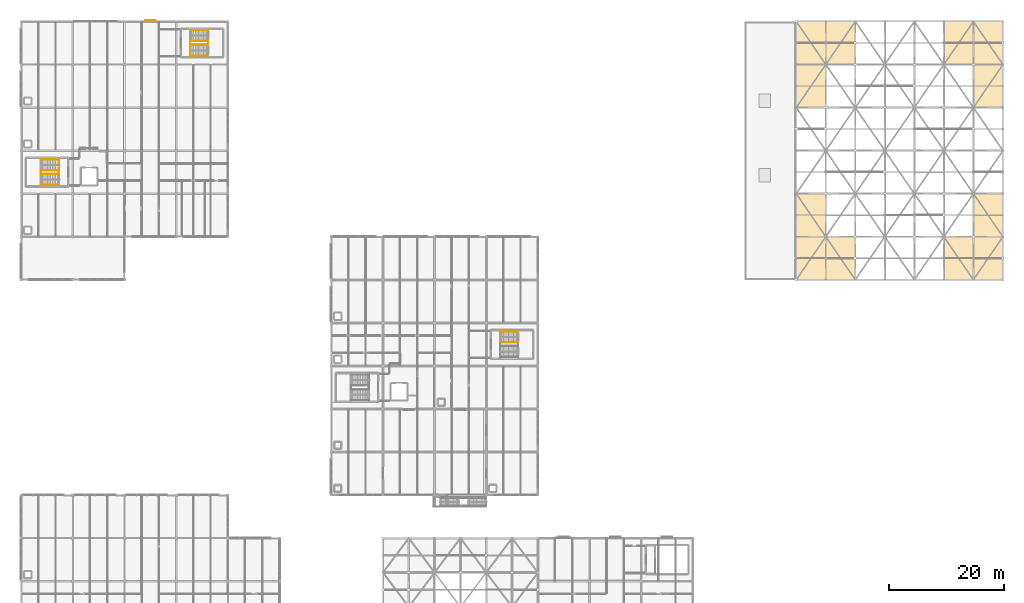
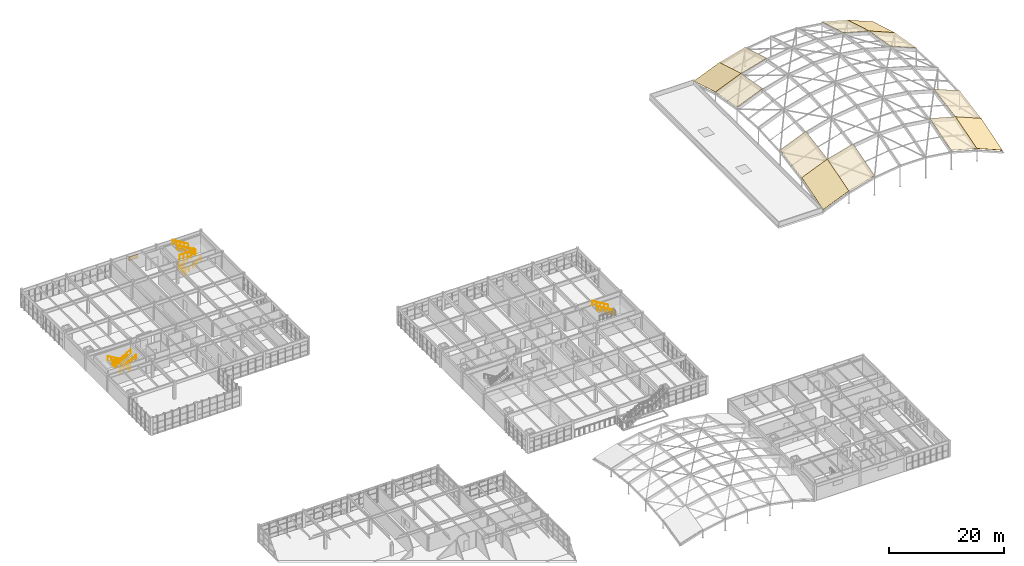
# One storey, part 81 of 81: 14 railings, 12 coverings, 1 shading device.
"""IFC4 building model written with IfcOpenShell, lengths in metres."""

from ifc_helpers import new_model, si_unit, direction, frame, origin, origin_2d, place, context, subcontext, project, spatial, polyline, rectangle, circle, outline, extrude, material, layer, layer_set, type_object, element, save


model = new_model("IFC4")

# Units and contexts
model_context = context("Model", 3, precision=1e-05, world=origin(), true_north=direction((0.0, 1.0)))
body_context = subcontext(model_context, "Body", "Model", "MODEL_VIEW")
ifc_project = project(units=[si_unit("LENGTHUNIT", "METRE"), si_unit("AREAUNIT", "SQUARE_METRE"), si_unit("VOLUMEUNIT", "CUBIC_METRE"), si_unit("PLANEANGLEUNIT", "RADIAN"), si_unit("MASSUNIT", "GRAM", prefix="KILO")], contexts=[model_context])

# Site, building, storey
site_placement = place(None, origin())
site = spatial("IfcSite", under=ifc_project, at=site_placement, CompositionType="ELEMENT")
building_placement = place(site_placement, origin())
building = spatial("IfcBuilding", under=site, at=building_placement, Name="Marnridge Secondary College", CompositionType="ELEMENT")
storey_placement = place(building_placement, frame((0.0, 0.0, 8.5)))
storey = spatial("IfcBuildingStorey", under=building, at=storey_placement, Name="L02", CompositionType="ELEMENT", Elevation=8.5)

# Coverings
ifc_material_1 = material(Name="Pre-weathered standing-seam zinc roofing", Category="steel")
ifc_layer = layer(ifc_material_1, 0.044921875)
ifc_layer_set = layer_set([ifc_layer], Name="CV-ROOF-ZINC")
covering_type = type_object("IfcCoveringType", Name="CV-ROOF-ZINC", PredefinedType="ROOFING", material=ifc_layer_set)
covering_1_placement = place(storey_placement, frame((135.0, 75.0, 0.550048828125), z_axis=(-0.372807720533, -0.263602093061, 0.889678784756), x_axis=(0.922299118379, 0.0, 0.386476824967)))
element("IfcCovering", 1, at=covering_1_placement, inside=storey, type_object=covering_type, Name="Standing-seam zinc roof panel CVR-V2-0101", PredefinedType="ROOFING", context=body_context, shape_type="SweptSolid", body=[
    extrude(outline(polyline([(0.0, 0.0), (5.576089321935026, 0.0), (6.434905743041356, 7.774989700068845), (0.8588164211063297, 7.774989700068845), (0.0, 0.0)])), origin(), (0.0, 0.0, -1.0), 0.044921875),
])
covering_2_placement = place(storey_placement, frame((135.0, 82.5, 2.772216796875), z_axis=(-0.381382985583, -0.161822958021, 0.910143037421), x_axis=(0.922299118379, 0.0, 0.386476824967)))
element("IfcCovering", 2, at=covering_2_placement, inside=storey, type_object=covering_type, Name="Standing-seam zinc roof panel CVR-V2-0102", PredefinedType="ROOFING", context=body_context, shape_type="SweptSolid", body=[
    extrude(outline(polyline([(0.0, 0.0), (5.576089321935027, 0.0), (6.091454658353701, 7.600171735037608), (0.5153653364186742, 7.600171735037608), (0.0, 0.0)])), origin(), (0.0, 0.0, -1.0), 0.044921875),
])
covering_3_placement = place(storey_placement, frame((135.0, 105.0, 4.105712890625), z_axis=(-0.381382985583, 0.161822958021, 0.910143037421), x_axis=(0.922299118379, 0.0, 0.386476824967)))
element("IfcCovering", 3, at=covering_3_placement, inside=storey, type_object=covering_type, Name="Standing-seam zinc roof panel CVR-V2-0105", PredefinedType="ROOFING", context=body_context, shape_type="SweptSolid", body=[
    extrude(outline(polyline([(0.0, 0.0), (5.576089321935027, 0.0), (5.060723985516352, 7.600171735037609), (-0.5153653364186742, 7.600171735037608), (0.0, 0.0)])), origin(), (0.0, 0.0, -1.0), 0.044921875),
])
covering_4_placement = place(storey_placement, frame((135.0, 112.5, 2.772216796875), z_axis=(-0.372807720533, 0.263602093061, 0.889678784756), x_axis=(0.922299118379, 0.0, 0.386476824967)))
element("IfcCovering", 4, at=covering_4_placement, inside=storey, type_object=covering_type, Name="Standing-seam zinc roof panel CVR-V2-0106", PredefinedType="ROOFING", context=body_context, shape_type="SweptSolid", body=[
    extrude(outline(polyline([(0.0, 0.0), (5.576089321935026, 0.0), (4.717272900828696, 7.774989700068845), (-0.8588164211063297, 7.774989700068845), (0.0, 0.0)])), origin(), (0.0, 0.0, -1.0), 0.044921875),
])
covering_5_placement = place(storey_placement, frame((140.142822265625, 75.0, 2.705078125), z_axis=(-0.258741531707, -0.274407995179, 0.926149594802), x_axis=(0.963120557911, 0.0, 0.269070234194)))
element("IfcCovering", 5, at=covering_5_placement, inside=storey, type_object=covering_type, Name="Standing-seam zinc roof panel CVR-V2-0201", PredefinedType="ROOFING", context=body_context, shape_type="SweptSolid", body=[
    extrude(outline(polyline([(0.0, 0.0), (5.339749238434277, 5.551115123125783e-17), (5.937668494205184, 7.799392479220217), (0.5979192557709067, 7.7993924792202165), (0.0, 0.0)])), origin(), (0.0, 0.0, -1.0), 0.044921875),
])
for number, where, z_axis, x_axis, name in (
    (6, (140.142822265625, 112.5, 4.92724609375), (-0.258741531707, 0.274407995179, 0.926149594802), (0.963120557911, 0.0, 0.269070234194), "Standing-seam zinc roof panel CVR-V2-0206"),
    (7, (160.71435546875, 75.0, 4.141845703125), (0.258741531707, -0.274407995179, 0.926149594802), (0.963120557911, 0.0, -0.269070234194), "Standing-seam zinc roof panel CVR-V2-0601"),
):
    element("IfcCovering", number, at=place(storey_placement, frame(where, z_axis=z_axis, x_axis=x_axis)), inside=storey, type_object=covering_type, Name=name, PredefinedType="ROOFING", context=body_context, shape_type="SweptSolid", body=[
        extrude(outline(polyline([(0.0, 0.0), (5.339749238434277, -5.551115123125783e-17), (4.74182998266337, 7.7993924792202165), (-0.5979192557709067, 7.7993924792202165), (0.0, 0.0)])), origin(), (0.0, 0.0, -1.0), 0.044921875),
    ])
covering_6_placement = place(storey_placement, frame((160.71435546875, 112.5, 6.364013671875), z_axis=(0.258741531707, 0.274407995179, 0.926149594802), x_axis=(0.963120557911, 0.0, -0.269070234194)))
element("IfcCovering", 8, at=covering_6_placement, inside=storey, type_object=covering_type, Name="Standing-seam zinc roof panel CVR-V2-0606", PredefinedType="ROOFING", context=body_context, shape_type="SweptSolid", body=[
    extrude(outline(polyline([(0.0, 0.0), (5.339749238434277, 5.551115123125783e-17), (5.937668494205184, 7.799392479220217), (0.5979192557709067, 7.7993924792202165), (0.0, 0.0)])), origin(), (0.0, 0.0, -1.0), 0.044921875),
])
covering_7_placement = place(storey_placement, frame((165.857177734375, 75.0, 2.705078125), z_axis=(0.372807720533, -0.263602093061, 0.889678784756), x_axis=(0.922299118379, 0.0, -0.386476824967)))
element("IfcCovering", 9, at=covering_7_placement, inside=storey, type_object=covering_type, Name="Standing-seam zinc roof panel CVR-V2-0701", PredefinedType="ROOFING", context=body_context, shape_type="SweptSolid", body=[
    extrude(outline(polyline([(0.0, 0.0), (5.576089321935026, 0.0), (4.717272900828696, 7.774989700068845), (-0.8588164211063297, 7.774989700068845), (0.0, 0.0)])), origin(), (0.0, 0.0, -1.0), 0.044921875),
])
covering_8_placement = place(storey_placement, frame((165.857177734375, 82.5, 4.92724609375), z_axis=(0.381382985583, -0.161822958021, 0.910143037421), x_axis=(0.922299118379, 0.0, -0.386476824967)))
element("IfcCovering", 10, at=covering_8_placement, inside=storey, type_object=covering_type, Name="Standing-seam zinc roof panel CVR-V2-0702", PredefinedType="ROOFING", context=body_context, shape_type="SweptSolid", body=[
    extrude(outline(polyline([(0.0, 0.0), (5.576089321935027, 0.0), (5.060723985516352, 7.600171735037609), (-0.5153653364186742, 7.600171735037608), (0.0, 0.0)])), origin(), (0.0, 0.0, -1.0), 0.044921875),
])
covering_9_placement = place(storey_placement, frame((165.857177734375, 105.0, 6.2607421875), z_axis=(0.381382985583, 0.161822958021, 0.910143037421), x_axis=(0.922299118379, 0.0, -0.386476824967)))
element("IfcCovering", 11, at=covering_9_placement, inside=storey, type_object=covering_type, Name="Standing-seam zinc roof panel CVR-V2-0705", PredefinedType="ROOFING", context=body_context, shape_type="SweptSolid", body=[
    extrude(outline(polyline([(0.0, 0.0), (5.576089321935027, 0.0), (6.091454658353701, 7.600171735037608), (0.5153653364186742, 7.600171735037608), (0.0, 0.0)])), origin(), (0.0, 0.0, -1.0), 0.044921875),
])
covering_10_placement = place(storey_placement, frame((165.857177734375, 112.5, 4.92724609375), z_axis=(0.372807720533, 0.263602093061, 0.889678784756), x_axis=(0.922299118379, 0.0, -0.386476824967)))
element("IfcCovering", 12, at=covering_10_placement, inside=storey, type_object=covering_type, Name="Standing-seam zinc roof panel CVR-V2-0706", PredefinedType="ROOFING", context=body_context, shape_type="SweptSolid", body=[
    extrude(outline(polyline([(0.0, 0.0), (5.576089321935026, 0.0), (6.434905743041356, 7.774989700068845), (0.8588164211063297, 7.774989700068845), (0.0, 0.0)])), origin(), (0.0, 0.0, -1.0), 0.044921875),
])

# Railings
ifc_material_2 = material(Name="Stainless steel Grade 350 (350 MPa) 48 mm handrail", Category="steel")
railing_type_1 = type_object("IfcRailingType", Name="RL-HND-900", PredefinedType="HANDRAIL", material=ifc_material_2)
for number, where, name in (
    (13, (86.5849609375, 64.090087890625, 1.89990234375), "Stair handrail HR-045"),
    (14, (86.5849609375, 65.969970703125, 1.89990234375), "Stair handrail HR-046"),
):
    element("IfcRailing", number, at=place(storey_placement, frame(where)), inside=storey, type_object=railing_type_1, Name=name, PredefinedType="HANDRAIL", context=body_context, shape_type="SweptSolid", body=[
        extrude(circle(Radius=0.02392578125, at=origin_2d()), frame((0.0, 0.0, 0.8759765625), z_axis=(-0.855180835044, 0.0, 0.518329759298), x_axis=(0.0, -1.0, 0.0)), (0.0, 0.0, 1.0), 3.666015625),
        extrude(circle(Radius=0.02099609375, at=origin_2d()), origin(), (0.0, 0.0, 1.0), 0.851806640625),
        extrude(circle(Radius=0.02099609375, at=origin_2d()), frame((-0.78369140625, 0.0, 0.47509765625)), (0.0, 0.0, 1.0), 0.851806640625),
        extrude(circle(Radius=0.02099609375, at=origin_2d()), frame((-1.5673828125, 0.0, 0.9501953125)), (0.0, 0.0, 1.0), 0.851806640625),
        extrude(circle(Radius=0.02099609375, at=origin_2d()), frame((-2.351318359375, 0.0, 1.425048828125)), (0.0, 0.0, 1.0), 0.851806640625),
        extrude(circle(Radius=0.02099609375, at=origin_2d()), frame((-3.135009765625, 0.0, 1.900146484375)), (0.0, 0.0, 1.0), 0.851806640625),
    ])
for number, where, name in (
    (15, (6.550048828125, 94.090087890625, 0.0), "Stair handrail HR-121"),
    (16, (6.550048828125, 95.969970703125, 0.0), "Stair handrail HR-122"),
):
    element("IfcRailing", number, at=place(storey_placement, frame(where)), inside=storey, type_object=railing_type_1, Name=name, PredefinedType="HANDRAIL", context=body_context, shape_type="SweptSolid", body=[
        extrude(circle(Radius=0.02392578125, at=origin_2d()), frame((0.0, 0.0, 0.8759765625), z_axis=(-0.855210355142, 0.0, 0.518281051609), x_axis=(0.0, -1.0, 0.0)), (0.0, 0.0, 1.0), 3.665771484375),
        extrude(circle(Radius=0.02099609375, at=origin_2d()), origin(), (0.0, 0.0, 1.0), 0.851806640625),
        extrude(circle(Radius=0.02099609375, at=origin_2d()), frame((-0.78369140625, 0.0, 0.47509765625)), (0.0, 0.0, 1.0), 0.851806640625),
        extrude(circle(Radius=0.02099609375, at=origin_2d()), frame((-1.5673828125, 0.0, 0.949951171875)), (0.0, 0.0, 1.0), 0.851806640625),
        extrude(circle(Radius=0.02099609375, at=origin_2d()), frame((-2.351318359375, 0.0, 1.4248046875)), (0.0, 0.0, 1.0), 0.851806640625),
        extrude(circle(Radius=0.02099609375, at=origin_2d()), frame((-3.135009765625, 0.0, 1.89990234375)), (0.0, 0.0, 1.0), 0.851806640625),
    ])
for number, where, name in (
    (17, (3.4150390625, 91.530029296875, 1.89990234375), "Stair handrail HR-123"),
    (18, (3.4150390625, 93.409912109375, 1.89990234375), "Stair handrail HR-124"),
):
    element("IfcRailing", number, at=place(storey_placement, frame(where)), inside=storey, type_object=railing_type_1, Name=name, PredefinedType="HANDRAIL", context=body_context, shape_type="SweptSolid", body=[
        extrude(circle(Radius=0.02392578125, at=origin_2d()), frame((0.0, 0.0, 0.8759765625), z_axis=(0.855180835044, 0.0, 0.518329759298), x_axis=(0.0, 1.0, 0.0)), (0.0, 0.0, 1.0), 3.666015625),
        extrude(circle(Radius=0.02099609375, at=origin_2d()), origin(), (0.0, 0.0, 1.0), 0.851806640625),
        extrude(circle(Radius=0.02099609375, at=origin_2d()), frame((0.78369140625, 0.0, 0.47509765625)), (0.0, 0.0, 1.0), 0.851806640625),
        extrude(circle(Radius=0.02099609375, at=origin_2d()), frame((1.5673828125, 0.0, 0.9501953125)), (0.0, 0.0, 1.0), 0.851806640625),
        extrude(circle(Radius=0.02099609375, at=origin_2d()), frame((2.351318359375, 0.0, 1.425048828125)), (0.0, 0.0, 1.0), 0.851806640625),
        extrude(circle(Radius=0.02099609375, at=origin_2d()), frame((3.135009765625, 0.0, 1.900146484375)), (0.0, 0.0, 1.0), 0.851806640625),
    ])
for number, where, name in (
    (19, (29.449951171875, 114.030029296875, 0.0), "Stair handrail HR-139"),
    (20, (29.449951171875, 115.909912109375, 0.0), "Stair handrail HR-140"),
):
    element("IfcRailing", number, at=place(storey_placement, frame(where)), inside=storey, type_object=railing_type_1, Name=name, PredefinedType="HANDRAIL", context=body_context, shape_type="SweptSolid", body=[
        extrude(circle(Radius=0.02392578125, at=origin_2d()), frame((0.0, 0.0, 0.8759765625), z_axis=(0.855210355142, 0.0, 0.518281051609), x_axis=(0.0, 1.0, 0.0)), (0.0, 0.0, 1.0), 3.665771484375),
        extrude(circle(Radius=0.02099609375, at=origin_2d()), origin(), (0.0, 0.0, 1.0), 0.851806640625),
        extrude(circle(Radius=0.02099609375, at=origin_2d()), frame((0.78369140625, 0.0, 0.47509765625)), (0.0, 0.0, 1.0), 0.851806640625),
        extrude(circle(Radius=0.02099609375, at=origin_2d()), frame((1.5673828125, 0.0, 0.949951171875)), (0.0, 0.0, 1.0), 0.851806640625),
        extrude(circle(Radius=0.02099609375, at=origin_2d()), frame((2.351318359375, 0.0, 1.4248046875)), (0.0, 0.0, 1.0), 0.851806640625),
        extrude(circle(Radius=0.02099609375, at=origin_2d()), frame((3.135009765625, 0.0, 1.89990234375)), (0.0, 0.0, 1.0), 0.851806640625),
    ])
for number, where, name in (
    (21, (32.5849609375, 116.590087890625, 1.89990234375), "Stair handrail HR-141"),
    (22, (32.5849609375, 118.469970703125, 1.89990234375), "Stair handrail HR-142"),
):
    element("IfcRailing", number, at=place(storey_placement, frame(where)), inside=storey, type_object=railing_type_1, Name=name, PredefinedType="HANDRAIL", context=body_context, shape_type="SweptSolid", body=[
        extrude(circle(Radius=0.02392578125, at=origin_2d()), frame((0.0, 0.0, 0.8759765625), z_axis=(-0.855180835044, 0.0, 0.518329759298), x_axis=(0.0, -1.0, 0.0)), (0.0, 0.0, 1.0), 3.666015625),
        extrude(circle(Radius=0.02099609375, at=origin_2d()), origin(), (0.0, 0.0, 1.0), 0.851806640625),
        extrude(circle(Radius=0.02099609375, at=origin_2d()), frame((-0.78369140625, 0.0, 0.47509765625)), (0.0, 0.0, 1.0), 0.851806640625),
        extrude(circle(Radius=0.02099609375, at=origin_2d()), frame((-1.5673828125, 0.0, 0.9501953125)), (0.0, 0.0, 1.0), 0.851806640625),
        extrude(circle(Radius=0.02099609375, at=origin_2d()), frame((-2.351318359375, 0.0, 1.425048828125)), (0.0, 0.0, 1.0), 0.851806640625),
        extrude(circle(Radius=0.02099609375, at=origin_2d()), frame((-3.135009765625, 0.0, 1.900146484375)), (0.0, 0.0, 1.0), 0.851806640625),
    ])
ifc_material_3 = material(Name="Painted steel Grade C350L0 (350 MPa) stair-well guard", Category="steel")
railing_type_2 = type_object("IfcRailingType", Name="RL-STAIR-1150", PredefinedType="BALUSTRADE", material=ifc_material_3)
railing_1_placement = place(storey_placement, frame((6.550048828125, 96.1298828125, 0.0)))
element("IfcRailing", 23, at=railing_1_placement, inside=storey, type_object=railing_type_2, Name="Stair well arrival guard GS-120", PredefinedType="BALUSTRADE", context=body_context, shape_type="SweptSolid", body=[
    extrude(circle(Radius=0.02392578125, at=origin_2d()), frame((0.0, 0.0, 1.1259765625), z_axis=(0.0, -1.0, 0.0), x_axis=(1.0, 0.0, 0.0)), (0.0, 0.0, 1.0), 2.4599609375),
    extrude(circle(Radius=0.02099609375, at=origin_2d()), origin(), (0.0, 0.0, 1.0), 1.101806640625),
    extrude(circle(Radius=0.02099609375, at=origin_2d()), frame((0.0, -0.820068359375, 0.0)), (0.0, 0.0, 1.0), 1.101806640625),
    extrude(circle(Radius=0.02099609375, at=origin_2d()), frame((0.0, -1.639892578125, 0.0)), (0.0, 0.0, 1.0), 1.101806640625),
    extrude(circle(Radius=0.02099609375, at=origin_2d()), frame((0.0, -2.4599609375, 0.0)), (0.0, 0.0, 1.0), 1.101806640625),
])
railing_2_placement = place(storey_placement, frame((6.550048828125, 94.030029296875, 1.89990234375)))
element("IfcRailing", 24, at=railing_2_placement, inside=storey, type_object=railing_type_2, Name="Stair well slot guard GS-125", PredefinedType="BALUSTRADE", context=body_context, shape_type="SweptSolid", body=[
    extrude(circle(Radius=0.02392578125, at=origin_2d()), frame((0.0, 0.0, 1.1259765625), z_axis=(-1.0, 0.0, 0.0), x_axis=(0.0, -1.0, 0.0)), (0.0, 0.0, 1.0), 3.135009765625),
    extrude(circle(Radius=0.02392578125, at=origin_2d()), frame((-3.135009765625, 0.0, 1.1259765625), z_axis=(0.0, -1.0, 0.0), x_axis=(1.0, 0.0, 0.0)), (0.0, 0.0, 1.0), 0.56005859375),
    extrude(circle(Radius=0.02099609375, at=origin_2d()), origin(), (0.0, 0.0, 1.0), 1.101806640625),
    extrude(circle(Radius=0.02099609375, at=origin_2d()), frame((-0.78369140625, 0.0, 0.0)), (0.0, 0.0, 1.0), 1.101806640625),
    extrude(circle(Radius=0.02099609375, at=origin_2d()), frame((-1.5673828125, 0.0, 0.0)), (0.0, 0.0, 1.0), 1.101806640625),
    extrude(circle(Radius=0.02099609375, at=origin_2d()), frame((-2.351318359375, 0.0, 0.0)), (0.0, 0.0, 1.0), 1.101806640625),
    extrude(circle(Radius=0.02099609375, at=origin_2d()), frame((-3.135009765625, 0.0, 0.0)), (0.0, 0.0, 1.0), 1.101806640625),
    extrude(circle(Radius=0.02099609375, at=origin_2d()), frame((-3.135009765625, -0.56005859375, 0.0)), (0.0, 0.0, 1.0), 1.101806640625),
])
railing_3_placement = place(storey_placement, frame((29.449951171875, 113.8701171875, 0.0)))
element("IfcRailing", 25, at=railing_3_placement, inside=storey, type_object=railing_type_2, Name="Stair well arrival guard GS-138", PredefinedType="BALUSTRADE", context=body_context, shape_type="SweptSolid", body=[
    extrude(circle(Radius=0.02392578125, at=origin_2d()), frame((0.0, 0.0, 1.1259765625), z_axis=(0.0, 1.0, 0.0), x_axis=(-1.0, 0.0, 0.0)), (0.0, 0.0, 1.0), 2.4599609375),
    extrude(circle(Radius=0.02099609375, at=origin_2d()), origin(), (0.0, 0.0, 1.0), 1.101806640625),
    extrude(circle(Radius=0.02099609375, at=origin_2d()), frame((0.0, 0.820068359375, 0.0)), (0.0, 0.0, 1.0), 1.101806640625),
    extrude(circle(Radius=0.02099609375, at=origin_2d()), frame((0.0, 1.639892578125, 0.0)), (0.0, 0.0, 1.0), 1.101806640625),
    extrude(circle(Radius=0.02099609375, at=origin_2d()), frame((0.0, 2.4599609375, 0.0)), (0.0, 0.0, 1.0), 1.101806640625),
])
railing_4_placement = place(storey_placement, frame((29.449951171875, 115.969970703125, 1.89990234375)))
element("IfcRailing", 26, at=railing_4_placement, inside=storey, type_object=railing_type_2, Name="Stair well slot guard GS-143", PredefinedType="BALUSTRADE", context=body_context, shape_type="SweptSolid", body=[
    extrude(circle(Radius=0.02392578125, at=origin_2d()), frame((0.0, 0.0, 1.1259765625), z_axis=(1.0, 0.0, 0.0), x_axis=(0.0, 1.0, 0.0)), (0.0, 0.0, 1.0), 3.135009765625),
    extrude(circle(Radius=0.02392578125, at=origin_2d()), frame((3.135009765625, 0.0, 1.1259765625), z_axis=(0.0, 1.0, 0.0), x_axis=(-1.0, 0.0, 0.0)), (0.0, 0.0, 1.0), 0.56005859375),
    extrude(circle(Radius=0.02099609375, at=origin_2d()), origin(), (0.0, 0.0, 1.0), 1.101806640625),
    extrude(circle(Radius=0.02099609375, at=origin_2d()), frame((0.78369140625, 0.0, 0.0)), (0.0, 0.0, 1.0), 1.101806640625),
    extrude(circle(Radius=0.02099609375, at=origin_2d()), frame((1.5673828125, 0.0, 0.0)), (0.0, 0.0, 1.0), 1.101806640625),
    extrude(circle(Radius=0.02099609375, at=origin_2d()), frame((2.351318359375, 0.0, 0.0)), (0.0, 0.0, 1.0), 1.101806640625),
    extrude(circle(Radius=0.02099609375, at=origin_2d()), frame((3.135009765625, 0.0, 0.0)), (0.0, 0.0, 1.0), 1.101806640625),
    extrude(circle(Radius=0.02099609375, at=origin_2d()), frame((3.135009765625, 0.56005859375, 0.0)), (0.0, 0.0, 1.0), 1.101806640625),
])

# Shading device
ifc_material_4 = material(Name="Anodised aluminium acoustic louvre bank", Category="aluminium")
shading_device_type = type_object("IfcShadingDeviceType", Name="SHD-LOUVRE-1", PredefinedType="JALOUSIE", material=ifc_material_4)
shading_device_placement = place(storey_placement, frame((22.5, 120.179931640625, 2.0), z_axis=(0.0, 0.0, 1.0), x_axis=(1.0, 0.0, 0.0)))
element("IfcShadingDevice", 27, at=shading_device_placement, inside=storey, type_object=shading_device_type, Name="Acoustic plant louvre LV-08", PredefinedType="JALOUSIE", context=body_context, shape_type="SweptSolid", body=[
    extrude(rectangle(XDim=1.800048828125, YDim=0.14990234375, at=origin_2d()), origin(), (0.0, 0.0, 1.0), 0.800048828125),
])

save(model, "model.ifc")
